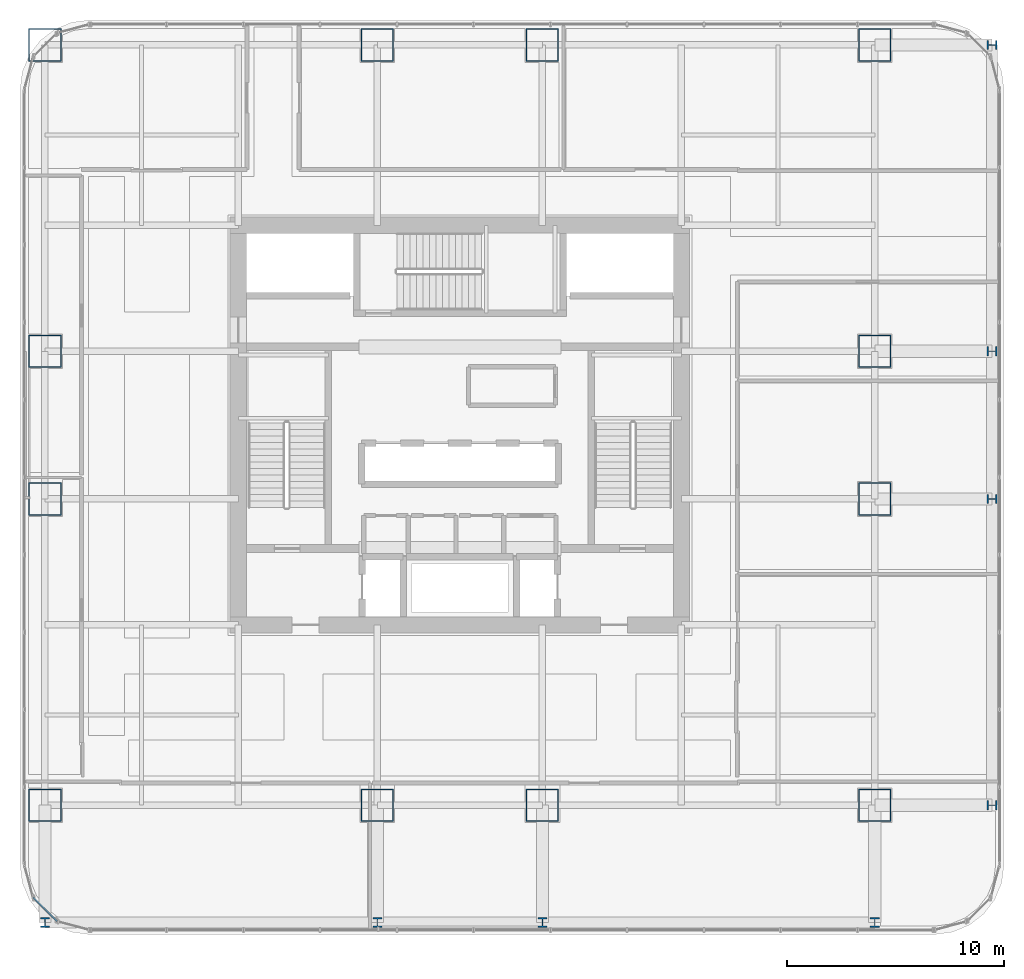
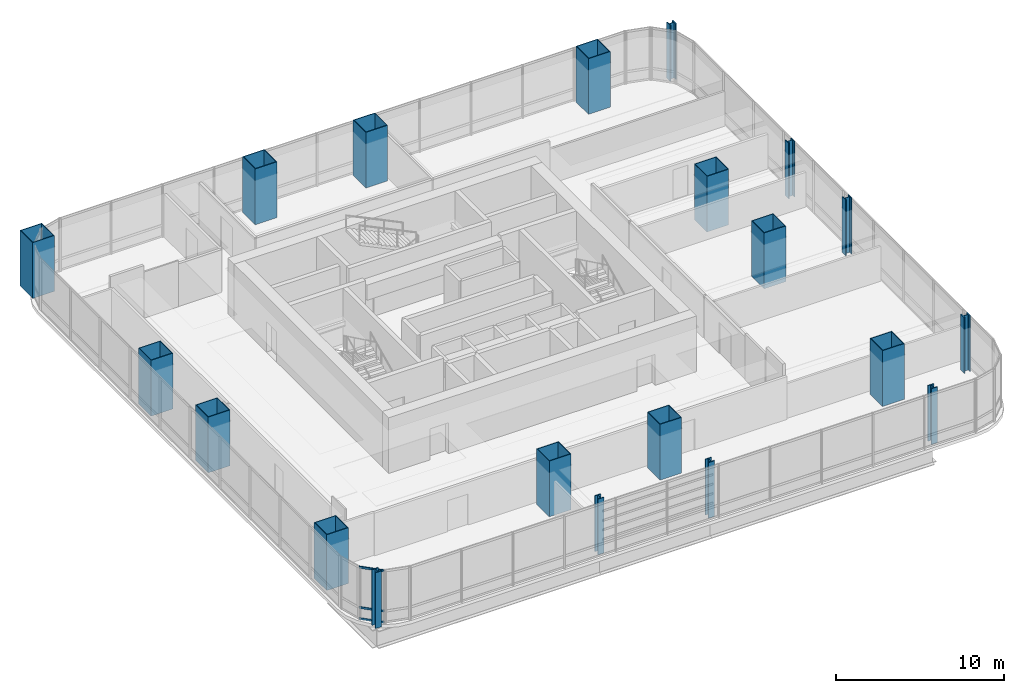
# One storey, part 1 of 35: 20 columns, 3 members, 1 element without a shape of its own.
"""IFC4 building model written with IfcOpenShell, lengths in metres."""

from ifc_helpers import new_model, si_unit, direction, frame, origin, origin_2d, place, context, subcontext, project, spatial, hollow_rectangle, i_section, extrude, material, material_profile, profile_set, type_object, element, aggregate, save


model = new_model("IFC4")

# Units and contexts
model_context = context("Model", 3, precision=1e-05, world=origin(), true_north=direction((0.0, 1.0)))
body_context = subcontext(model_context, "Body", "Model", "MODEL_VIEW")
ifc_project = project(units=[si_unit("LENGTHUNIT", "METRE"), si_unit("AREAUNIT", "SQUARE_METRE"), si_unit("VOLUMEUNIT", "CUBIC_METRE"), si_unit("PLANEANGLEUNIT", "RADIAN"), si_unit("MASSUNIT", "GRAM", prefix="KILO")], contexts=[model_context])

# Site, building, storey
site_placement = place(None, origin())
site = spatial("IfcSite", under=ifc_project, at=site_placement, CompositionType="ELEMENT")
building_placement = place(site_placement, origin())
building = spatial("IfcBuilding", under=site, at=building_placement, Name="Punatoya Terracotta Tower", CompositionType="ELEMENT")
storey_placement = place(building_placement, frame((0.0, 0.0, 72.75)))
storey = spatial("IfcBuildingStorey", under=building, at=storey_placement, Name="L16", CompositionType="ELEMENT", Elevation=72.75)

# Columns
ifc_material_1 = material(Name="Steel S460", Category="steel")
ifc_material_profile_1 = material_profile(ifc_material_1, i_section(OverallWidth=0.416015625, OverallDepth=0.446044921875, WebThickness=0.0390625, FlangeThickness=0.06201171875, FilletRadius=0.01806640625, at=origin_2d()))
ifc_profile_set_1 = profile_set([ifc_material_profile_1], Name="Steel S460")
column_type_1 = type_object("IfcColumnType", Name="COL-EX-M1", PredefinedType="COLUMN", material=ifc_profile_set_1)
for number, where, z_axis, x_axis, name in (
    (1, (-19.10009765625, -22.89990234375, 0.0), (0.0, 0.0, 1.0), (1.0, 0.0, 0.0), "L16 Exoskeleton Perimeter Column S1"),
    (2, (-3.800048828125, -22.89990234375, 0.0), (0.0, 0.0, 1.0), (1.0, 0.0, 0.0), "L16 Exoskeleton Perimeter Column S2"),
    (3, (3.800048828125, -22.89990234375, 0.0), (0.0, 0.0, 1.0), (1.0, 0.0, 0.0), "L16 Exoskeleton Perimeter Column S3"),
    (4, (19.10009765625, -22.89990234375, 0.0), (0.0, 0.0, 1.0), (1.0, 0.0, 0.0), "L16 Exoskeleton Perimeter Column S4"),
    (5, (24.5, -17.5, 0.0), (0.0, 0.0, 1.0), (0.0, 1.0, 0.0), "L16 Exoskeleton Perimeter Column E1"),
    (6, (24.5, -3.39990234375, 0.0), (0.0, 0.0, 1.0), (0.0, 1.0, 0.0), "L16 Exoskeleton Perimeter Column E2"),
    (7, (24.5, 3.39990234375, 0.0), (0.0, 0.0, 1.0), (0.0, 1.0, 0.0), "L16 Exoskeleton Perimeter Column E3"),
    (8, (24.5, 17.5, 0.0), (0.0, 0.0, 1.0), (0.0, 1.0, 0.0), "L16 Exoskeleton Perimeter Column E4"),
):
    element("IfcColumn", number, at=place(storey_placement, frame(where, z_axis=z_axis, x_axis=x_axis)), inside=storey, type_object=column_type_1, Name=name, PredefinedType="COLUMN", context=body_context, shape_type="SweptSolid", body=[
        extrude(i_section(OverallWidth=0.416015625, OverallDepth=0.446044921875, WebThickness=0.0390625, FlangeThickness=0.06201171875, FilletRadius=0.01806640625, at=origin_2d()), origin(), (0.0, 0.0, 1.0), 4.048095703125),
    ])
ifc_material_profile_2 = material_profile(ifc_material_1, hollow_rectangle(XDim=1.5, YDim=1.5, WallThickness=0.044921875, at=origin_2d()))
ifc_profile_set_2 = profile_set([ifc_material_profile_2], Name="Steel S460")
column_type_2 = type_object("IfcColumnType", Name="COL-MC-Z1", PredefinedType="COLUMN", material=ifc_profile_set_2)
for number, where, z_axis, x_axis, name in (
    (9, (-19.10009765625, -17.5, 0.0), (0.0, 0.0, 1.0), (1.0, 0.0, 0.0), "L16 Composite Mega-Column MC-01 (3-B)"),
    (10, (-3.800048828125, -17.5, 0.0), (0.0, 0.0, 1.0), (1.0, 0.0, 0.0), "L16 Composite Mega-Column MC-02 (5-B)"),
    (11, (3.800048828125, -17.5, 0.0), (0.0, 0.0, 1.0), (1.0, 0.0, 0.0), "L16 Composite Mega-Column MC-03 (7-B)"),
    (12, (19.10009765625, -17.5, 0.0), (0.0, 0.0, 1.0), (1.0, 0.0, 0.0), "L16 Composite Mega-Column MC-04 (9-B)"),
    (13, (19.10009765625, -3.39990234375, 0.0), (0.0, 0.0, 1.0), (1.0, 0.0, 0.0), "L16 Composite Mega-Column MC-05 (9-D)"),
    (14, (19.10009765625, 3.39990234375, 0.0), (0.0, 0.0, 1.0), (1.0, 0.0, 0.0), "L16 Composite Mega-Column MC-06 (9-E)"),
    (15, (19.10009765625, 17.5, 0.0), (0.0, 0.0, 1.0), (1.0, 0.0, 0.0), "L16 Composite Mega-Column MC-07 (9-G)"),
    (16, (3.800048828125, 17.5, 0.0), (0.0, 0.0, 1.0), (1.0, 0.0, 0.0), "L16 Composite Mega-Column MC-08 (7-G)"),
    (17, (-3.800048828125, 17.5, 0.0), (0.0, 0.0, 1.0), (1.0, 0.0, 0.0), "L16 Composite Mega-Column MC-09 (5-G)"),
    (18, (-19.10009765625, 17.5, 0.0), (0.0, 0.0, 1.0), (1.0, 0.0, 0.0), "L16 Composite Mega-Column MC-10 (3-G)"),
    (19, (-19.10009765625, 3.39990234375, 0.0), (0.0, 0.0, 1.0), (1.0, 0.0, 0.0), "L16 Composite Mega-Column MC-11 (3-E)"),
    (20, (-19.10009765625, -3.39990234375, 0.0), (0.0, 0.0, 1.0), (1.0, 0.0, 0.0), "L16 Composite Mega-Column MC-12 (3-D)"),
):
    element("IfcColumn", number, at=place(storey_placement, frame(where, z_axis=z_axis, x_axis=x_axis)), inside=storey, type_object=column_type_2, Name=name, PredefinedType="COLUMN", context=body_context, shape_type="SweptSolid", body=[
        extrude(hollow_rectangle(XDim=1.5, YDim=1.5, WallThickness=0.044921875, at=origin_2d()), origin(), (0.0, 0.0, 1.0), 4.050048828125),
    ])

# Curtain wall, members
ifc_material_2 = material(Name="Aluminium 6063-T6 + Double Low-E Glass", Category="aluminium")
curtain_wall_type = type_object("IfcCurtainWallType", Name="CW-M1", PredefinedType="NOTDEFINED", material=ifc_material_2)
curtain_wall_placement = place(storey_placement, origin())
curtain_wall = element("IfcCurtainWall", 21, at=curtain_wall_placement, inside=storey, type_object=curtain_wall_type, Name="L16 Curtain Wall CW-L16-CRN15", PredefinedType="NOTDEFINED")
ifc_material_3 = material(Name="Aluminium 6063-T6", Category="aluminium")
ifc_material_profile_3 = material_profile(ifc_material_3, hollow_rectangle(XDim=0.068115234375, YDim=0.14990234375, WallThickness=0.00390625, at=origin_2d()))
ifc_profile_set_3 = profile_set([ifc_material_profile_3], Name="Aluminium 6063-T6")
member_type = type_object("IfcMemberType", Name="CW-TRN-TYP", PredefinedType="USERDEFINED", material=ifc_profile_set_3)
member_1_placement = place(storey_placement, frame((-19.646484375, -21.7490234375, 0.0400390625), z_axis=(0.707028130747, -0.707185422879, 0.0), x_axis=(0.707185422879, 0.707028130747, 0.0)))
member_1 = element("IfcMember", 22, at=member_1_placement, type_object=member_type, Name="CW-L16-CRN15 Transom 1", ObjectType="TRANSOM", PredefinedType="USERDEFINED", context=body_context, shape_type="SweptSolid", body=[
    extrude(hollow_rectangle(XDim=0.068115234375, YDim=0.14990234375, WallThickness=0.00390625, at=origin_2d()), origin(), (0.0, 0.0, 1.0), 1.55224609375),
])
member_2_placement = place(storey_placement, frame((-19.646484375, -21.7490234375, 0.85009765625), z_axis=(0.707028130747, -0.707185422879, 0.0), x_axis=(0.707185422879, 0.707028130747, 0.0)))
member_2 = element("IfcMember", 23, at=member_2_placement, type_object=member_type, Name="CW-L16-CRN15 Transom 2", ObjectType="TRANSOM", PredefinedType="USERDEFINED", context=body_context, shape_type="SweptSolid", body=[
    extrude(hollow_rectangle(XDim=0.068115234375, YDim=0.14990234375, WallThickness=0.00390625, at=origin_2d()), origin(), (0.0, 0.0, 1.0), 1.55224609375),
])
member_3_placement = place(storey_placement, frame((-19.646484375, -21.7490234375, 3.77001953125), z_axis=(0.707028130747, -0.707185422879, 0.0), x_axis=(0.707185422879, 0.707028130747, 0.0)))
member_3 = element("IfcMember", 24, at=member_3_placement, type_object=member_type, Name="CW-L16-CRN15 Transom 3", ObjectType="TRANSOM", PredefinedType="USERDEFINED", context=body_context, shape_type="SweptSolid", body=[
    extrude(hollow_rectangle(XDim=0.068115234375, YDim=0.14990234375, WallThickness=0.00390625, at=origin_2d()), origin(), (0.0, 0.0, 1.0), 1.55224609375),
])
aggregate(curtain_wall, [member_1, member_2, member_3])

save(model, "model.ifc")
